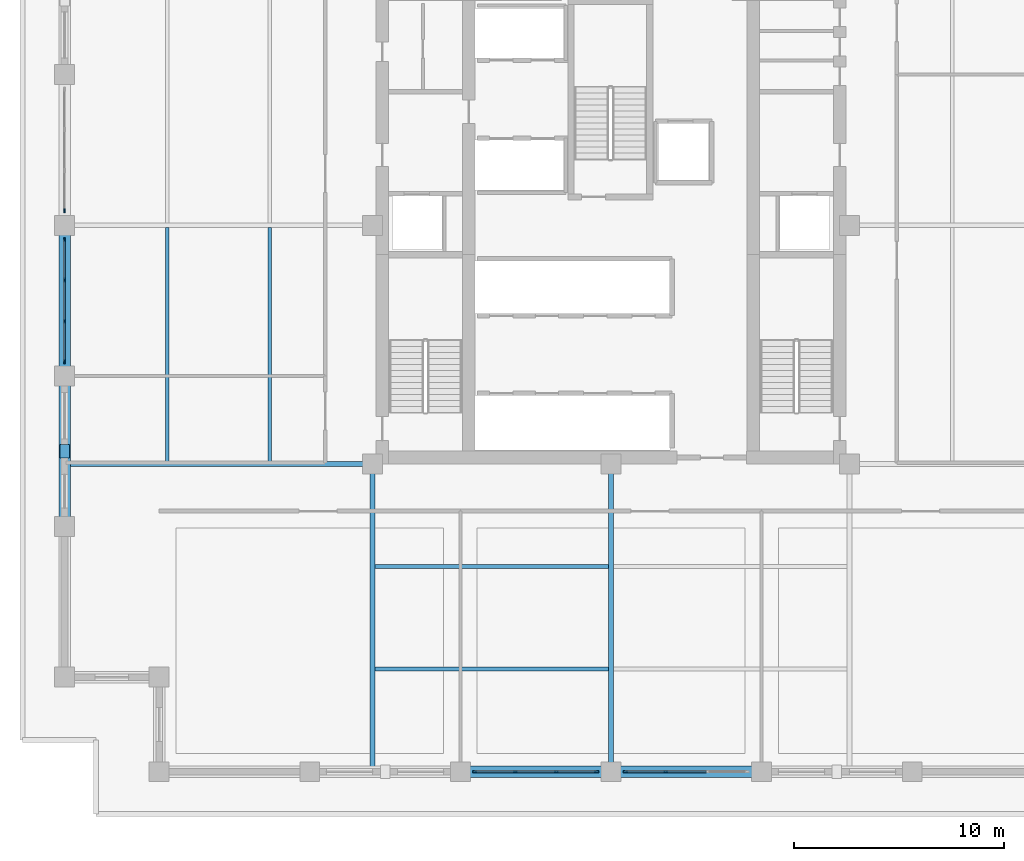
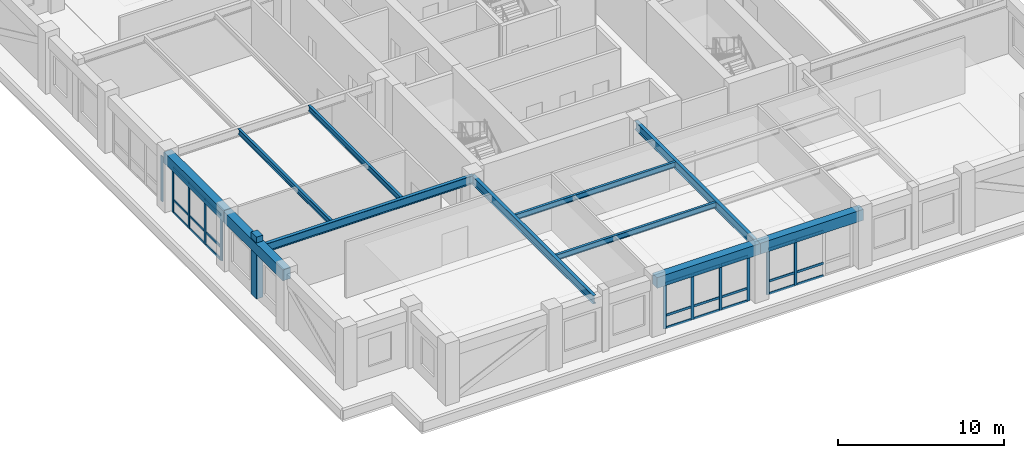
# One storey, part 2 of 16: 36 members, 11 beams, 4 elements without a shape of their own.
"""IFC4 building model written with IfcOpenShell, lengths in metres."""

from ifc_helpers import new_model, si_unit, direction, frame, origin, origin_2d, place, context, subcontext, project, spatial, rectangle, i_section, extrude, material, layer, layer_set, material_profile, profile_set, type_object, element, aggregate, save


model = new_model("IFC4")

# Units and contexts
model_context = context("Model", 3, precision=1e-05, world=origin(), true_north=direction((0.0, 1.0)))
body_context = subcontext(model_context, "Body", "Model", "MODEL_VIEW")
ifc_project = project(units=[si_unit("LENGTHUNIT", "METRE"), si_unit("AREAUNIT", "SQUARE_METRE"), si_unit("VOLUMEUNIT", "CUBIC_METRE"), si_unit("PLANEANGLEUNIT", "RADIAN"), si_unit("MASSUNIT", "GRAM", prefix="KILO")], contexts=[model_context])

# Site, building, storey
site_placement = place(None, origin())
site = spatial("IfcSite", under=ifc_project, at=site_placement, CompositionType="ELEMENT")
building_placement = place(site_placement, origin())
building = spatial("IfcBuilding", under=site, at=building_placement, Name="Nhamokura Convention Tower", CompositionType="ELEMENT")
storey_placement = place(building_placement, frame((0.0, 0.0, 106.050048828125)))
storey = spatial("IfcBuildingStorey", under=building, at=storey_placement, Name="L25", CompositionType="ELEMENT", Elevation=106.050048828125)

# Member
ifc_material_1 = material(Name="Bronze-pigmented precast concrete C45/55", Category="concrete")
ifc_material_profile_1 = material_profile(ifc_material_1, rectangle(XDim=0.449951171875, YDim=0.64990234375, at=origin_2d()))
ifc_profile_set_1 = profile_set([ifc_material_profile_1], Name="Bronze-pigmented precast concrete C45/55")
member_type_1 = type_object("IfcMemberType", Name="BronzePilaster_650", PredefinedType="USERDEFINED", material=ifc_profile_set_1)
member_1_placement = place(storey_placement, frame((6.0, 21.25, 0.0), z_axis=(0.0, 0.0, 1.0), x_axis=(1.0, 0.0, 0.0)))
element("IfcMember", 1, at=member_1_placement, inside=storey, type_object=member_type_1, Name="L25 Engaged Frame Pilaster WEST 1", ObjectType="PILASTER_TRIM", PredefinedType="USERDEFINED", context=body_context, shape_type="SweptSolid", body=[
    extrude(rectangle(XDim=0.449951171875, YDim=0.64990234375, at=origin_2d()), origin(), (0.0, 0.0, 1.0), 4.550048828125),
])

# Curtain wall, members
ifc_material_2 = material(Name="Anodised bronze aluminium AA6063-T6", Category="aluminium")
ifc_layer = layer(ifc_material_2, 0.18994140625)
ifc_layer_set = layer_set([ifc_layer], Name="CWSystem_SkyLobby")
curtain_wall_type = type_object("IfcCurtainWallType", Name="CWSystem_SkyLobby", PredefinedType="NOTDEFINED", material=ifc_layer_set)
curtain_wall_1_placement = place(storey_placement, origin())
curtain_wall_1 = element("IfcCurtainWall", 2, at=curtain_wall_1_placement, inside=storey, type_object=curtain_wall_type, Name="L25 Curtain Wall ENV-L25-CW-S2", PredefinedType="NOTDEFINED")
ifc_material_3 = material(Name="Anodised bronze aluminium AA6063-T6", Category="aluminium")
ifc_material_profile_2 = material_profile(ifc_material_3, rectangle(XDim=0.074951171875, YDim=0.199951171875, at=origin_2d()))
ifc_profile_set_2 = profile_set([ifc_material_profile_2], Name="Anodised bronze aluminium AA6063-T6")
member_type_2 = type_object("IfcMemberType", Name="CWMullion_2", PredefinedType="MULLION", material=ifc_profile_set_2)
member_2_placement = place(storey_placement, frame((31.3125, 6.0, 0.0), z_axis=(0.0, 0.0, 1.0), x_axis=(0.0, -1.0, 0.0)))
member_2 = element("IfcMember", 3, at=member_2_placement, type_object=member_type_2, Name="CW-06 mullion 1", PredefinedType="MULLION", context=body_context, shape_type="SweptSolid", body=[
    extrude(rectangle(XDim=0.074951171875, YDim=0.199951171875, at=origin_2d()), origin(), (0.0, 0.0, 1.0), 3.329833984375),
])
member_3_placement = place(storey_placement, frame((29.39453125, 6.0, 0.0), z_axis=(0.0, 0.0, 1.0), x_axis=(0.0, -1.0, 0.0)))
member_3 = element("IfcMember", 4, at=member_3_placement, type_object=member_type_2, Name="CW-06 mullion 2", PredefinedType="MULLION", context=body_context, shape_type="SweptSolid", body=[
    extrude(rectangle(XDim=0.074951171875, YDim=0.199951171875, at=origin_2d()), origin(), (0.0, 0.0, 1.0), 3.329833984375),
])
member_4_placement = place(storey_placement, frame((27.43896484375, 6.0, 0.0), z_axis=(0.0, 0.0, 1.0), x_axis=(0.0, -1.0, 0.0)))
member_4 = element("IfcMember", 5, at=member_4_placement, type_object=member_type_2, Name="CW-06 mullion 3", PredefinedType="MULLION", context=body_context, shape_type="SweptSolid", body=[
    extrude(rectangle(XDim=0.074951171875, YDim=0.199951171875, at=origin_2d()), origin(), (0.0, 0.0, 1.0), 3.329833984375),
])
member_5_placement = place(storey_placement, frame((25.520751953125, 6.0, 0.0), z_axis=(0.0, 0.0, 1.0), x_axis=(0.0, -1.0, 0.0)))
member_5 = element("IfcMember", 6, at=member_5_placement, type_object=member_type_2, Name="CW-06 mullion 4", PredefinedType="MULLION", context=body_context, shape_type="SweptSolid", body=[
    extrude(rectangle(XDim=0.074951171875, YDim=0.199951171875, at=origin_2d()), origin(), (0.0, 0.0, 1.0), 3.329833984375),
])

curtain_wall_2_placement = place(storey_placement, origin())
curtain_wall_2 = element("IfcCurtainWall", 7, at=curtain_wall_2_placement, inside=storey, type_object=curtain_wall_type, Name="L25 Curtain Wall ENV-L25-CW-S3", PredefinedType="NOTDEFINED")
member_6_placement = place(storey_placement, frame((34.60546875, 6.0, 0.0), z_axis=(0.0, 0.0, 1.0), x_axis=(0.0, -1.0, 0.0)))
member_6 = element("IfcMember", 8, at=member_6_placement, type_object=member_type_2, Name="CW-06 mullion 3", PredefinedType="MULLION", context=body_context, shape_type="SweptSolid", body=[
    extrude(rectangle(XDim=0.074951171875, YDim=0.199951171875, at=origin_2d()), origin(), (0.0, 0.0, 1.0), 3.329833984375),
])
member_7_placement = place(storey_placement, frame((32.6875, 6.0, 0.0), z_axis=(0.0, 0.0, 1.0), x_axis=(0.0, -1.0, 0.0)))
member_7 = element("IfcMember", 9, at=member_7_placement, type_object=member_type_2, Name="CW-06 mullion 4", PredefinedType="MULLION", context=body_context, shape_type="SweptSolid", body=[
    extrude(rectangle(XDim=0.074951171875, YDim=0.199951171875, at=origin_2d()), origin(), (0.0, 0.0, 1.0), 3.329833984375),
])

curtain_wall_3_placement = place(storey_placement, origin())
curtain_wall_3 = element("IfcCurtainWall", 10, at=curtain_wall_3_placement, inside=storey, type_object=curtain_wall_type, Name="L25 Curtain Wall ENV-L25-CW-W2", PredefinedType="NOTDEFINED")
member_8_placement = place(storey_placement, frame((6.0, 25.520751953125, 0.0), z_axis=(0.0, 0.0, 1.0), x_axis=(-1.0, 0.0, 0.0)))
member_8 = element("IfcMember", 11, at=member_8_placement, type_object=member_type_2, Name="CW-06 mullion 1", PredefinedType="MULLION", context=body_context, shape_type="SweptSolid", body=[
    extrude(rectangle(XDim=0.074951171875, YDim=0.199951171875, at=origin_2d()), origin(), (0.0, 0.0, 1.0), 3.329833984375),
])
member_9_placement = place(storey_placement, frame((6.0, 27.43896484375, 0.0), z_axis=(0.0, 0.0, 1.0), x_axis=(-1.0, 0.0, 0.0)))
member_9 = element("IfcMember", 12, at=member_9_placement, type_object=member_type_2, Name="CW-06 mullion 2", PredefinedType="MULLION", context=body_context, shape_type="SweptSolid", body=[
    extrude(rectangle(XDim=0.074951171875, YDim=0.199951171875, at=origin_2d()), origin(), (0.0, 0.0, 1.0), 3.329833984375),
])
member_10_placement = place(storey_placement, frame((6.0, 29.39453125, 0.0), z_axis=(0.0, 0.0, 1.0), x_axis=(-1.0, 0.0, 0.0)))
member_10 = element("IfcMember", 13, at=member_10_placement, type_object=member_type_2, Name="CW-06 mullion 3", PredefinedType="MULLION", context=body_context, shape_type="SweptSolid", body=[
    extrude(rectangle(XDim=0.074951171875, YDim=0.199951171875, at=origin_2d()), origin(), (0.0, 0.0, 1.0), 3.329833984375),
])
member_11_placement = place(storey_placement, frame((6.0, 31.3125, 0.0), z_axis=(0.0, 0.0, 1.0), x_axis=(-1.0, 0.0, 0.0)))
member_11 = element("IfcMember", 14, at=member_11_placement, type_object=member_type_2, Name="CW-06 mullion 4", PredefinedType="MULLION", context=body_context, shape_type="SweptSolid", body=[
    extrude(rectangle(XDim=0.074951171875, YDim=0.199951171875, at=origin_2d()), origin(), (0.0, 0.0, 1.0), 3.329833984375),
])

# Curtain wall, member
curtain_wall_4_placement = place(storey_placement, origin())
curtain_wall_4 = element("IfcCurtainWall", 15, at=curtain_wall_4_placement, inside=storey, type_object=curtain_wall_type, Name="L25 Curtain Wall ENV-L25-CW-W3", PredefinedType="NOTDEFINED")
member_12_placement = place(storey_placement, frame((6.0, 32.6875, 0.0), z_axis=(0.0, 0.0, 1.0), x_axis=(-1.0, 0.0, 0.0)))
member_12 = element("IfcMember", 16, at=member_12_placement, type_object=member_type_2, Name="CW-06 mullion 1", PredefinedType="MULLION", context=body_context, shape_type="SweptSolid", body=[
    extrude(rectangle(XDim=0.074951171875, YDim=0.199951171875, at=origin_2d()), origin(), (0.0, 0.0, 1.0), 3.329833984375),
])
aggregate(curtain_wall_4, [member_12])

# Member
ifc_material_4 = material(Name="Anodised bronze aluminium AA6063-T6", Category="aluminium")
ifc_material_profile_3 = material_profile(ifc_material_4, rectangle(XDim=0.074951171875, YDim=0.169921875, at=origin_2d()))
ifc_profile_set_3 = profile_set([ifc_material_profile_3], Name="Anodised bronze aluminium AA6063-T6")
member_type_3 = type_object("IfcMemberType", Name="CWTransom_2", PredefinedType="USERDEFINED", material=ifc_profile_set_3)
member_13_placement = place(storey_placement, frame((31.27490234375, 6.0, 0.037353515625), z_axis=(-1.0, 0.0, 0.0), x_axis=(0.0, -1.0, 0.0)))
member_13 = element("IfcMember", 17, at=member_13_placement, type_object=member_type_3, Name="CW-06 transom 1.1", ObjectType="TRANSOM", PredefinedType="USERDEFINED", context=body_context, shape_type="SweptSolid", body=[
    extrude(rectangle(XDim=0.074951171875, YDim=0.169921875, at=origin_2d()), origin(), (0.0, 0.0, 1.0), 1.843017578125),
])

member_14_placement = place(storey_placement, frame((31.27490234375, 6.0, 0.949951171875), z_axis=(-1.0, 0.0, 0.0), x_axis=(0.0, -1.0, 0.0)))
member_14 = element("IfcMember", 18, at=member_14_placement, type_object=member_type_3, Name="CW-06 transom 1.2", ObjectType="TRANSOM", PredefinedType="USERDEFINED", context=body_context, shape_type="SweptSolid", body=[
    extrude(rectangle(XDim=0.074951171875, YDim=0.169921875, at=origin_2d()), origin(), (0.0, 0.0, 1.0), 1.843017578125),
])

member_15_placement = place(storey_placement, frame((31.27490234375, 6.0, 3.29248046875), z_axis=(-1.0, 0.0, 0.0), x_axis=(0.0, -1.0, 0.0)))
member_15 = element("IfcMember", 19, at=member_15_placement, type_object=member_type_3, Name="CW-06 transom 1.3", ObjectType="TRANSOM", PredefinedType="USERDEFINED", context=body_context, shape_type="SweptSolid", body=[
    extrude(rectangle(XDim=0.074951171875, YDim=0.169921875, at=origin_2d()), origin(), (0.0, 0.0, 1.0), 1.843017578125),
])

member_16_placement = place(storey_placement, frame((29.35693359375, 6.0, 0.037353515625), z_axis=(-1.0, 0.0, 0.0), x_axis=(0.0, -1.0, 0.0)))
member_16 = element("IfcMember", 20, at=member_16_placement, type_object=member_type_3, Name="CW-06 transom 2.1", ObjectType="TRANSOM", PredefinedType="USERDEFINED", context=body_context, shape_type="SweptSolid", body=[
    extrude(rectangle(XDim=0.074951171875, YDim=0.169921875, at=origin_2d()), origin(), (0.0, 0.0, 1.0), 1.880615234375),
])

member_17_placement = place(storey_placement, frame((29.35693359375, 6.0, 0.949951171875), z_axis=(-1.0, 0.0, 0.0), x_axis=(0.0, -1.0, 0.0)))
member_17 = element("IfcMember", 21, at=member_17_placement, type_object=member_type_3, Name="CW-06 transom 2.2", ObjectType="TRANSOM", PredefinedType="USERDEFINED", context=body_context, shape_type="SweptSolid", body=[
    extrude(rectangle(XDim=0.074951171875, YDim=0.169921875, at=origin_2d()), origin(), (0.0, 0.0, 1.0), 1.880615234375),
])

member_18_placement = place(storey_placement, frame((29.35693359375, 6.0, 3.29248046875), z_axis=(-1.0, 0.0, 0.0), x_axis=(0.0, -1.0, 0.0)))
member_18 = element("IfcMember", 22, at=member_18_placement, type_object=member_type_3, Name="CW-06 transom 2.3", ObjectType="TRANSOM", PredefinedType="USERDEFINED", context=body_context, shape_type="SweptSolid", body=[
    extrude(rectangle(XDim=0.074951171875, YDim=0.169921875, at=origin_2d()), origin(), (0.0, 0.0, 1.0), 1.880615234375),
])

member_19_placement = place(storey_placement, frame((27.4013671875, 6.0, 0.037353515625), z_axis=(-1.0, 0.0, 0.0), x_axis=(0.0, -1.0, 0.0)))
member_19 = element("IfcMember", 23, at=member_19_placement, type_object=member_type_3, Name="CW-06 transom 3.1", ObjectType="TRANSOM", PredefinedType="USERDEFINED", context=body_context, shape_type="SweptSolid", body=[
    extrude(rectangle(XDim=0.074951171875, YDim=0.169921875, at=origin_2d()), origin(), (0.0, 0.0, 1.0), 1.843017578125),
])

member_20_placement = place(storey_placement, frame((27.4013671875, 6.0, 0.949951171875), z_axis=(-1.0, 0.0, 0.0), x_axis=(0.0, -1.0, 0.0)))
member_20 = element("IfcMember", 24, at=member_20_placement, type_object=member_type_3, Name="CW-06 transom 3.2", ObjectType="TRANSOM", PredefinedType="USERDEFINED", context=body_context, shape_type="SweptSolid", body=[
    extrude(rectangle(XDim=0.074951171875, YDim=0.169921875, at=origin_2d()), origin(), (0.0, 0.0, 1.0), 1.843017578125),
])

member_21_placement = place(storey_placement, frame((27.4013671875, 6.0, 3.29248046875), z_axis=(-1.0, 0.0, 0.0), x_axis=(0.0, -1.0, 0.0)))
member_21 = element("IfcMember", 25, at=member_21_placement, type_object=member_type_3, Name="CW-06 transom 3.3", ObjectType="TRANSOM", PredefinedType="USERDEFINED", context=body_context, shape_type="SweptSolid", body=[
    extrude(rectangle(XDim=0.074951171875, YDim=0.169921875, at=origin_2d()), origin(), (0.0, 0.0, 1.0), 1.843017578125),
])

aggregate(curtain_wall_1, [member_2, member_3, member_4, member_5, member_13, member_14, member_15, member_16, member_17, member_18, member_19, member_20, member_21])

member_22_placement = place(storey_placement, frame((36.523681640625, 6.0, 0.037353515625), z_axis=(-1.0, 0.0, 0.0), x_axis=(0.0, -1.0, 0.0)))
member_22 = element("IfcMember", 26, at=member_22_placement, type_object=member_type_3, Name="CW-06 transom 2.1", ObjectType="TRANSOM", PredefinedType="USERDEFINED", context=body_context, shape_type="SweptSolid", body=[
    extrude(rectangle(XDim=0.074951171875, YDim=0.169921875, at=origin_2d()), origin(), (0.0, 0.0, 1.0), 1.880615234375),
])

member_23_placement = place(storey_placement, frame((36.523681640625, 6.0, 0.949951171875), z_axis=(-1.0, 0.0, 0.0), x_axis=(0.0, -1.0, 0.0)))
member_23 = element("IfcMember", 27, at=member_23_placement, type_object=member_type_3, Name="CW-06 transom 2.2", ObjectType="TRANSOM", PredefinedType="USERDEFINED", context=body_context, shape_type="SweptSolid", body=[
    extrude(rectangle(XDim=0.074951171875, YDim=0.169921875, at=origin_2d()), origin(), (0.0, 0.0, 1.0), 1.880615234375),
])

member_24_placement = place(storey_placement, frame((36.523681640625, 6.0, 3.29248046875), z_axis=(-1.0, 0.0, 0.0), x_axis=(0.0, -1.0, 0.0)))
member_24 = element("IfcMember", 28, at=member_24_placement, type_object=member_type_3, Name="CW-06 transom 2.3", ObjectType="TRANSOM", PredefinedType="USERDEFINED", context=body_context, shape_type="SweptSolid", body=[
    extrude(rectangle(XDim=0.074951171875, YDim=0.169921875, at=origin_2d()), origin(), (0.0, 0.0, 1.0), 1.880615234375),
])

member_25_placement = place(storey_placement, frame((34.568115234375, 6.0, 0.037353515625), z_axis=(-1.0, 0.0, 0.0), x_axis=(0.0, -1.0, 0.0)))
member_25 = element("IfcMember", 29, at=member_25_placement, type_object=member_type_3, Name="CW-06 transom 3.1", ObjectType="TRANSOM", PredefinedType="USERDEFINED", context=body_context, shape_type="SweptSolid", body=[
    extrude(rectangle(XDim=0.074951171875, YDim=0.169921875, at=origin_2d()), origin(), (0.0, 0.0, 1.0), 1.843017578125),
])

member_26_placement = place(storey_placement, frame((34.568115234375, 6.0, 0.949951171875), z_axis=(-1.0, 0.0, 0.0), x_axis=(0.0, -1.0, 0.0)))
member_26 = element("IfcMember", 30, at=member_26_placement, type_object=member_type_3, Name="CW-06 transom 3.2", ObjectType="TRANSOM", PredefinedType="USERDEFINED", context=body_context, shape_type="SweptSolid", body=[
    extrude(rectangle(XDim=0.074951171875, YDim=0.169921875, at=origin_2d()), origin(), (0.0, 0.0, 1.0), 1.843017578125),
])

member_27_placement = place(storey_placement, frame((34.568115234375, 6.0, 3.29248046875), z_axis=(-1.0, 0.0, 0.0), x_axis=(0.0, -1.0, 0.0)))
member_27 = element("IfcMember", 31, at=member_27_placement, type_object=member_type_3, Name="CW-06 transom 3.3", ObjectType="TRANSOM", PredefinedType="USERDEFINED", context=body_context, shape_type="SweptSolid", body=[
    extrude(rectangle(XDim=0.074951171875, YDim=0.169921875, at=origin_2d()), origin(), (0.0, 0.0, 1.0), 1.843017578125),
])

aggregate(curtain_wall_2, [member_6, member_7, member_22, member_23, member_24, member_25, member_26, member_27])

member_28_placement = place(storey_placement, frame((6.0, 25.558349609375, 0.037353515625), z_axis=(0.0, 1.0, 0.0), x_axis=(-1.0, 0.0, 0.0)))
member_28 = element("IfcMember", 32, at=member_28_placement, type_object=member_type_3, Name="CW-06 transom 1.1", ObjectType="TRANSOM", PredefinedType="USERDEFINED", context=body_context, shape_type="SweptSolid", body=[
    extrude(rectangle(XDim=0.074951171875, YDim=0.169921875, at=origin_2d()), origin(), (0.0, 0.0, 1.0), 1.843017578125),
])

member_29_placement = place(storey_placement, frame((6.0, 25.558349609375, 0.949951171875), z_axis=(0.0, 1.0, 0.0), x_axis=(-1.0, 0.0, 0.0)))
member_29 = element("IfcMember", 33, at=member_29_placement, type_object=member_type_3, Name="CW-06 transom 1.2", ObjectType="TRANSOM", PredefinedType="USERDEFINED", context=body_context, shape_type="SweptSolid", body=[
    extrude(rectangle(XDim=0.074951171875, YDim=0.169921875, at=origin_2d()), origin(), (0.0, 0.0, 1.0), 1.843017578125),
])

member_30_placement = place(storey_placement, frame((6.0, 25.558349609375, 3.29248046875), z_axis=(0.0, 1.0, 0.0), x_axis=(-1.0, 0.0, 0.0)))
member_30 = element("IfcMember", 34, at=member_30_placement, type_object=member_type_3, Name="CW-06 transom 1.3", ObjectType="TRANSOM", PredefinedType="USERDEFINED", context=body_context, shape_type="SweptSolid", body=[
    extrude(rectangle(XDim=0.074951171875, YDim=0.169921875, at=origin_2d()), origin(), (0.0, 0.0, 1.0), 1.843017578125),
])

member_31_placement = place(storey_placement, frame((6.0, 27.476318359375, 0.037353515625), z_axis=(0.0, 1.0, 0.0), x_axis=(-1.0, 0.0, 0.0)))
member_31 = element("IfcMember", 35, at=member_31_placement, type_object=member_type_3, Name="CW-06 transom 2.1", ObjectType="TRANSOM", PredefinedType="USERDEFINED", context=body_context, shape_type="SweptSolid", body=[
    extrude(rectangle(XDim=0.074951171875, YDim=0.169921875, at=origin_2d()), origin(), (0.0, 0.0, 1.0), 1.880615234375),
])

member_32_placement = place(storey_placement, frame((6.0, 27.476318359375, 0.949951171875), z_axis=(0.0, 1.0, 0.0), x_axis=(-1.0, 0.0, 0.0)))
member_32 = element("IfcMember", 36, at=member_32_placement, type_object=member_type_3, Name="CW-06 transom 2.2", ObjectType="TRANSOM", PredefinedType="USERDEFINED", context=body_context, shape_type="SweptSolid", body=[
    extrude(rectangle(XDim=0.074951171875, YDim=0.169921875, at=origin_2d()), origin(), (0.0, 0.0, 1.0), 1.880615234375),
])

member_33_placement = place(storey_placement, frame((6.0, 27.476318359375, 3.29248046875), z_axis=(0.0, 1.0, 0.0), x_axis=(-1.0, 0.0, 0.0)))
member_33 = element("IfcMember", 37, at=member_33_placement, type_object=member_type_3, Name="CW-06 transom 2.3", ObjectType="TRANSOM", PredefinedType="USERDEFINED", context=body_context, shape_type="SweptSolid", body=[
    extrude(rectangle(XDim=0.074951171875, YDim=0.169921875, at=origin_2d()), origin(), (0.0, 0.0, 1.0), 1.880615234375),
])

member_34_placement = place(storey_placement, frame((6.0, 29.431884765625, 0.037353515625), z_axis=(0.0, 1.0, 0.0), x_axis=(-1.0, 0.0, 0.0)))
member_34 = element("IfcMember", 38, at=member_34_placement, type_object=member_type_3, Name="CW-06 transom 3.1", ObjectType="TRANSOM", PredefinedType="USERDEFINED", context=body_context, shape_type="SweptSolid", body=[
    extrude(rectangle(XDim=0.074951171875, YDim=0.169921875, at=origin_2d()), origin(), (0.0, 0.0, 1.0), 1.843017578125),
])

member_35_placement = place(storey_placement, frame((6.0, 29.431884765625, 0.949951171875), z_axis=(0.0, 1.0, 0.0), x_axis=(-1.0, 0.0, 0.0)))
member_35 = element("IfcMember", 39, at=member_35_placement, type_object=member_type_3, Name="CW-06 transom 3.2", ObjectType="TRANSOM", PredefinedType="USERDEFINED", context=body_context, shape_type="SweptSolid", body=[
    extrude(rectangle(XDim=0.074951171875, YDim=0.169921875, at=origin_2d()), origin(), (0.0, 0.0, 1.0), 1.843017578125),
])

member_36_placement = place(storey_placement, frame((6.0, 29.431884765625, 3.29248046875), z_axis=(0.0, 1.0, 0.0), x_axis=(-1.0, 0.0, 0.0)))
member_36 = element("IfcMember", 40, at=member_36_placement, type_object=member_type_3, Name="CW-06 transom 3.3", ObjectType="TRANSOM", PredefinedType="USERDEFINED", context=body_context, shape_type="SweptSolid", body=[
    extrude(rectangle(XDim=0.074951171875, YDim=0.169921875, at=origin_2d()), origin(), (0.0, 0.0, 1.0), 1.843017578125),
])

aggregate(curtain_wall_3, [member_8, member_9, member_10, member_11, member_28, member_29, member_30, member_31, member_32, member_33, member_34, member_35, member_36])

# Beams
ifc_material_5 = material(Name="Steel ASTM A992 Gr 50", Category="steel")
ifc_material_profile_4 = material_profile(ifc_material_5, i_section(OverallWidth=0.177001953125, OverallDepth=0.403076171875, WebThickness=0.007568359375, FlangeThickness=0.010986328125, at=origin_2d()))
ifc_profile_set_4 = profile_set([ifc_material_profile_4], Name="Steel ASTM A992 Gr 50")
beam_type_1 = type_object("IfcBeamType", Name="FloorJoist_W410X53", PredefinedType="JOIST", material=ifc_profile_set_4)
for number, where, z_axis, x_axis, name in (
    (41, (20.762939453125, 10.88330078125, 3.928466796875), (1.0, 0.0, 0.0), (0.0, 1.0, 0.0), "L25 Composite Floor Joist S1A"),
    (42, (20.762939453125, 15.7666015625, 3.928466796875), (1.0, 0.0, 0.0), (0.0, 1.0, 0.0), "L25 Composite Floor Joist S2A"),
    (43, (10.88330078125, 20.762939453125, 3.928466796875), (0.0, 1.0, 0.0), (-1.0, 0.0, 0.0), "L25 Composite Floor Joist W1A"),
    (44, (15.7666015625, 20.762939453125, 3.928466796875), (0.0, 1.0, 0.0), (-1.0, 0.0, 0.0), "L25 Composite Floor Joist W2A"),
):
    element("IfcBeam", number, at=place(storey_placement, frame(where, z_axis=z_axis, x_axis=x_axis)), inside=storey, type_object=beam_type_1, Name=name, PredefinedType="JOIST", context=body_context, shape_type="SweptSolid", body=[
        extrude(i_section(OverallWidth=0.177001953125, OverallDepth=0.403076171875, WebThickness=0.007568359375, FlangeThickness=0.010986328125, at=origin_2d()), origin(), (0.0, 0.0, 1.0), 11.1240234375),
    ])
ifc_material_6 = material(Name="Steel ASTM A992 Gr 50", Category="steel")
ifc_material_profile_5 = material_profile(ifc_material_6, i_section(OverallWidth=0.22998046875, OverallDepth=0.616943359375, WebThickness=0.01318359375, FlangeThickness=0.022216796875, at=origin_2d()))
ifc_profile_set_5 = profile_set([ifc_material_profile_5], Name="Steel ASTM A992 Gr 50")
beam_type_2 = type_object("IfcBeamType", Name="PrimaryGirder_W610X140", PredefinedType="BEAM", material=ifc_profile_set_5)
for number, where, z_axis, x_axis, name in (
    (45, (20.64990234375, 6.0, 3.821533203125), (0.0, 1.0, 0.0), (-1.0, 0.0, 0.0), "L25 Primary Floor Girder PG-S1"),
    (46, (32.0, 6.0, 3.821533203125), (0.0, 1.0, 0.0), (-1.0, 0.0, 0.0), "L25 Primary Floor Girder PG-S2"),
    (47, (6.0, 20.64990234375, 3.821533203125), (1.0, 0.0, 0.0), (0.0, 1.0, 0.0), "L25 Primary Floor Girder PG-W1"),
):
    element("IfcBeam", number, at=place(storey_placement, frame(where, z_axis=z_axis, x_axis=x_axis)), inside=storey, type_object=beam_type_2, Name=name, PredefinedType="BEAM", context=body_context, shape_type="SweptSolid", body=[
        extrude(i_section(OverallWidth=0.22998046875, OverallDepth=0.616943359375, WebThickness=0.01318359375, FlangeThickness=0.022216796875, at=origin_2d()), origin(), (0.0, 0.0, 1.0), 14.64990234375),
    ])
ifc_material_7 = material(Name="Concrete C50/60", Category="concrete")
ifc_material_profile_6 = material_profile(ifc_material_7, rectangle(XDim=0.550048828125, YDim=0.800048828125, at=origin_2d()))
ifc_profile_set_6 = profile_set([ifc_material_profile_6], Name="Concrete C50/60")
beam_type_3 = type_object("IfcBeamType", Name="TubeSpandrel_800", PredefinedType="SPANDREL", material=ifc_profile_set_6)
for number, where, z_axis, x_axis, name in (
    (48, (24.833251953125, 6.0, 3.72998046875), (1.0, 0.0, 0.0), (0.0, 1.0, 0.0), "L25 Perimeter Spandrel SOUTH 3"),
    (49, (32.0, 6.0, 3.72998046875), (1.0, 0.0, 0.0), (0.0, 1.0, 0.0), "L25 Perimeter Spandrel SOUTH 4"),
):
    element("IfcBeam", number, at=place(storey_placement, frame(where, z_axis=z_axis, x_axis=x_axis)), inside=storey, type_object=beam_type_3, Name=name, PredefinedType="SPANDREL", context=body_context, shape_type="SweptSolid", body=[
        extrude(rectangle(XDim=0.550048828125, YDim=0.800048828125, at=origin_2d()), origin(), (0.0, 0.0, 1.0), 7.166748046875),
    ])
beam_1_placement = place(storey_placement, frame((6.0, 17.666748046875, 3.72998046875), z_axis=(0.0, 1.0, 0.0), x_axis=(-1.0, 0.0, 0.0)))
element("IfcBeam", 50, at=beam_1_placement, inside=storey, type_object=beam_type_3, Name="L25 Perimeter Spandrel WEST 2", PredefinedType="SPANDREL", context=body_context, shape_type="SweptSolid", body=[
    extrude(rectangle(XDim=0.550048828125, YDim=0.800048828125, at=origin_2d()), origin(), (0.0, 0.0, 1.0), 7.16650390625),
])
beam_2_placement = place(storey_placement, frame((6.0, 24.833251953125, 3.72998046875), z_axis=(0.0, 1.0, 0.0), x_axis=(-1.0, 0.0, 0.0)))
element("IfcBeam", 51, at=beam_2_placement, inside=storey, type_object=beam_type_3, Name="L25 Perimeter Spandrel WEST 3", PredefinedType="SPANDREL", context=body_context, shape_type="SweptSolid", body=[
    extrude(rectangle(XDim=0.550048828125, YDim=0.800048828125, at=origin_2d()), origin(), (0.0, 0.0, 1.0), 7.166748046875),
])

save(model, "model.ifc")
